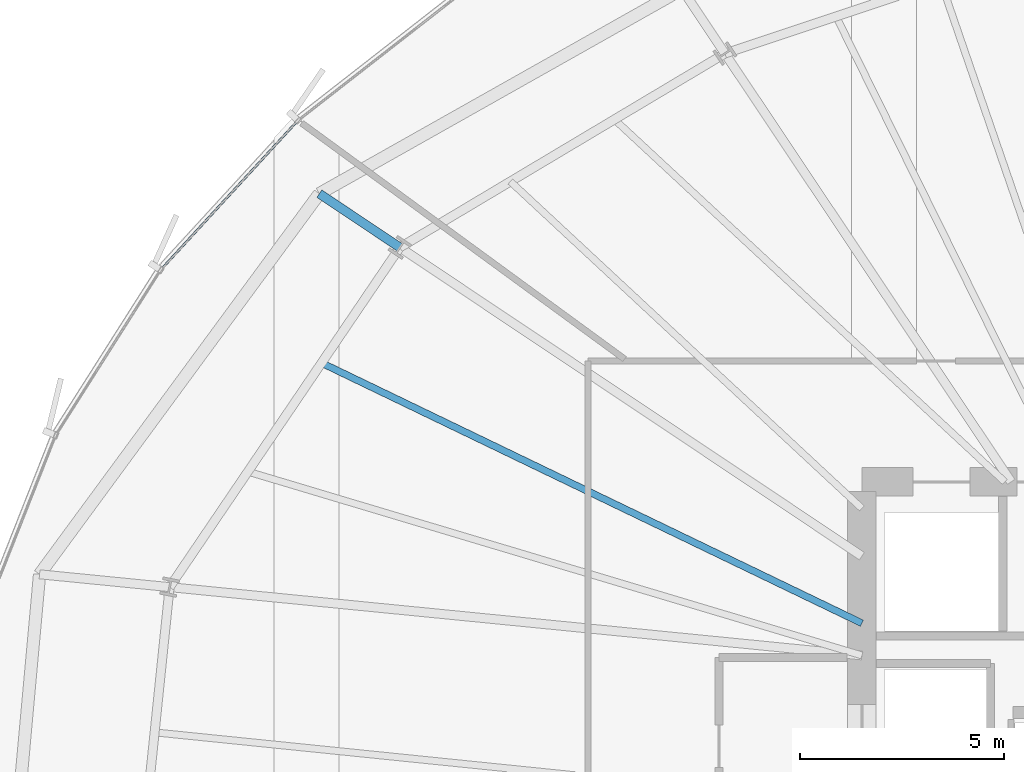
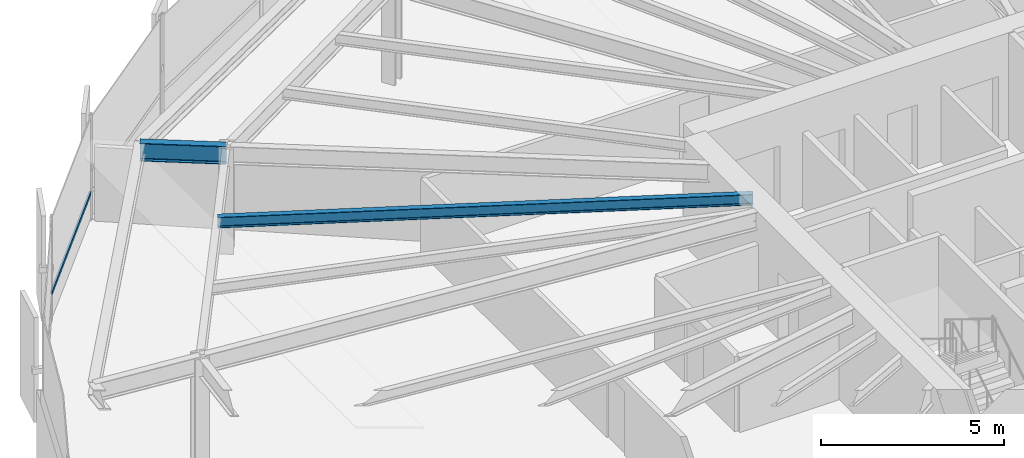
# One storey, part 19 of 38: 2 beams, 1 member, 1 element without a shape of its own.
"""IFC4 building model written with IfcOpenShell, lengths in metres."""

from ifc_helpers import new_model, si_unit, direction, frame, origin, origin_2d, place, context, subcontext, project, spatial, hollow_rectangle, i_section, extrude, source, transform, mapped, material, layer, layer_set, material_profile, profile_set, type_object, element, aggregate, save


model = new_model("IFC4")

# Units and contexts
model_context = context("Model", 3, precision=1e-05, world=origin(), true_north=direction((0.0, 1.0)))
body_context = subcontext(model_context, "Body", "Model", "MODEL_VIEW")
ifc_project = project(units=[si_unit("LENGTHUNIT", "METRE"), si_unit("AREAUNIT", "SQUARE_METRE"), si_unit("VOLUMEUNIT", "CUBIC_METRE"), si_unit("PLANEANGLEUNIT", "RADIAN"), si_unit("MASSUNIT", "GRAM", prefix="KILO"), si_unit("THERMODYNAMICTEMPERATUREUNIT", "KELVIN")], contexts=[model_context])

# Site, building, storey
site_placement = place(None, origin())
site = spatial("IfcSite", under=ifc_project, at=site_placement, CompositionType="ELEMENT")
building_placement = place(site_placement, origin())
building = spatial("IfcBuilding", under=site, at=building_placement, Name="Kethvar Cultural Tower", CompositionType="ELEMENT")
storey_placement = place(building_placement, frame((0.0, 0.0, 63.800048828125)))
storey = spatial("IfcBuildingStorey", under=building, at=storey_placement, Name="L15", CompositionType="ELEMENT", Elevation=63.800048828125)

# Beams
ifc_material_1 = material(Name="Steel S355J2", Category="steel")
ifc_material_profile_1 = material_profile(ifc_material_1, i_section(OverallWidth=0.169921875, OverallDepth=0.360107421875, WebThickness=0.008056640625, FlangeThickness=0.0126953125, FilletRadius=0.01806640625, at=origin_2d()), Name="Steel S355J2 — IPE360")
ifc_profile_set_1 = profile_set([ifc_material_profile_1], Name="Steel S355J2 — IPE360")
beam_type_1 = type_object("IfcBeamType", Name="BM-J360", PredefinedType="JOIST", material=ifc_profile_set_1)
shared_shape_1 = source(origin(), body_context, "Body", "SweptSolid", [
    extrude(i_section(OverallWidth=0.169921875, OverallDepth=0.360107421875, WebThickness=0.008056640625, FlangeThickness=0.0126953125, FilletRadius=0.01806640625, at=origin_2d()), origin(), (0.0, 0.0, 1.0), 14.687255859375),
])
beam_1_placement = place(storey_placement, frame((38.0, 32.038818359375, 3.367919921875), z_axis=(-0.900928984091, 0.433966548971, 0.0), x_axis=(-0.433966548971, -0.900928984091, 0.0)))
element("IfcBeam", 1, at=beam_1_placement, inside=storey, type_object=beam_type_1, Name="L15 Composite Floor Joist J-07A", PredefinedType="JOIST", context=body_context, shape_type="MappedRepresentation", body=[
    mapped(shared_shape_1, transform((0.0, 0.0, 0.0), scale=1.0)),
])
ifc_material_profile_2 = material_profile(ifc_material_1, i_section(OverallWidth=0.219970703125, OverallDepth=0.60009765625, WebThickness=0.011962890625, FlangeThickness=0.01904296875, FilletRadius=0.02392578125, at=origin_2d()), Name="Steel S355J2 — IPE600")
ifc_profile_set_2 = profile_set([ifc_material_profile_2], Name="Steel S355J2 — IPE600")
beam_type_2 = type_object("IfcBeamType", Name="BM-IPE600", PredefinedType="BEAM", material=ifc_profile_set_2)
shared_shape_2 = source(origin(), body_context, "Body", "SweptSolid", [
    extrude(i_section(OverallWidth=0.219970703125, OverallDepth=0.60009765625, WebThickness=0.011962890625, FlangeThickness=0.01904296875, FilletRadius=0.02392578125, at=origin_2d()), origin(), (0.0, 0.0, 1.0), 2.370361328125),
])
beam_2_placement = place(storey_placement, frame((26.6845703125, 41.24072265625, 3.248046875), z_axis=(-0.831479419992, 0.555555554495, 0.0), x_axis=(-0.555555554495, -0.831479419992, 0.0)))
element("IfcBeam", 2, at=beam_2_placement, inside=storey, type_object=beam_type_2, Name="L15 Perimeter Cantilever Beam RC-07", PredefinedType="BEAM", context=body_context, shape_type="MappedRepresentation", body=[
    mapped(shared_shape_2, transform((0.0, 0.0, 0.0), scale=1.0)),
])

# Curtain wall, member
ifc_material_2 = material(Name="Aluminium 6063-T6", Category="aluminium")
ifc_layer = layer(ifc_material_2, 0.179931640625, Name="Aluminium 6063-T6", Category="aluminium")
ifc_layer_set = layer_set([ifc_layer], Name="Aluminium 6063-T6 (180 mm)")
curtain_wall_type = type_object("IfcCurtainWallType", Name="CW-SYS-02-Z1", PredefinedType="NOTDEFINED", material=ifc_layer_set)
curtain_wall_placement = place(storey_placement, origin())
curtain_wall = element("IfcCurtainWall", 3, at=curtain_wall_placement, inside=storey, type_object=curtain_wall_type, Name="L15 Curtain Wall Run 03", PredefinedType="NOTDEFINED")
ifc_material_profile_3 = material_profile(ifc_material_2, hollow_rectangle(XDim=0.054931640625, YDim=0.1201171875, WallThickness=0.00390625, at=origin_2d()), Name="Aluminium 6063-T6 — RHS120x55x4")
ifc_profile_set_3 = profile_set([ifc_material_profile_3], Name="Aluminium 6063-T6 — RHS120x55x4")
member_type = type_object("IfcMemberType", Name="CW-SYS-02-Z1-TRN", PredefinedType="USERDEFINED", material=ifc_profile_set_3)
shared_shape_3 = source(origin(), body_context, "Body", "SweptSolid", [
    extrude(hollow_rectangle(XDim=0.054931640625, YDim=0.1201171875, WallThickness=0.00390625, at=origin_2d()), origin(), (0.0, 0.0, 1.0), 4.8974609375),
])
member_placement = place(storey_placement, frame((24.157958984375, 44.317138671875, 0.949951171875), z_axis=(-0.676329385937, -0.736599322371, 0.0), x_axis=(0.736599322371, -0.676329385937, 0.0)))
member = element("IfcMember", 4, at=member_placement, type_object=member_type, Name="CW-L15-R03 Transom 2", ObjectType="TRANSOM", PredefinedType="USERDEFINED", context=body_context, shape_type="MappedRepresentation", body=[
    mapped(shared_shape_3, transform((0.0, 0.0, 0.0), scale=1.0)),
])
aggregate(curtain_wall, [member])

save(model, "model.ifc")
